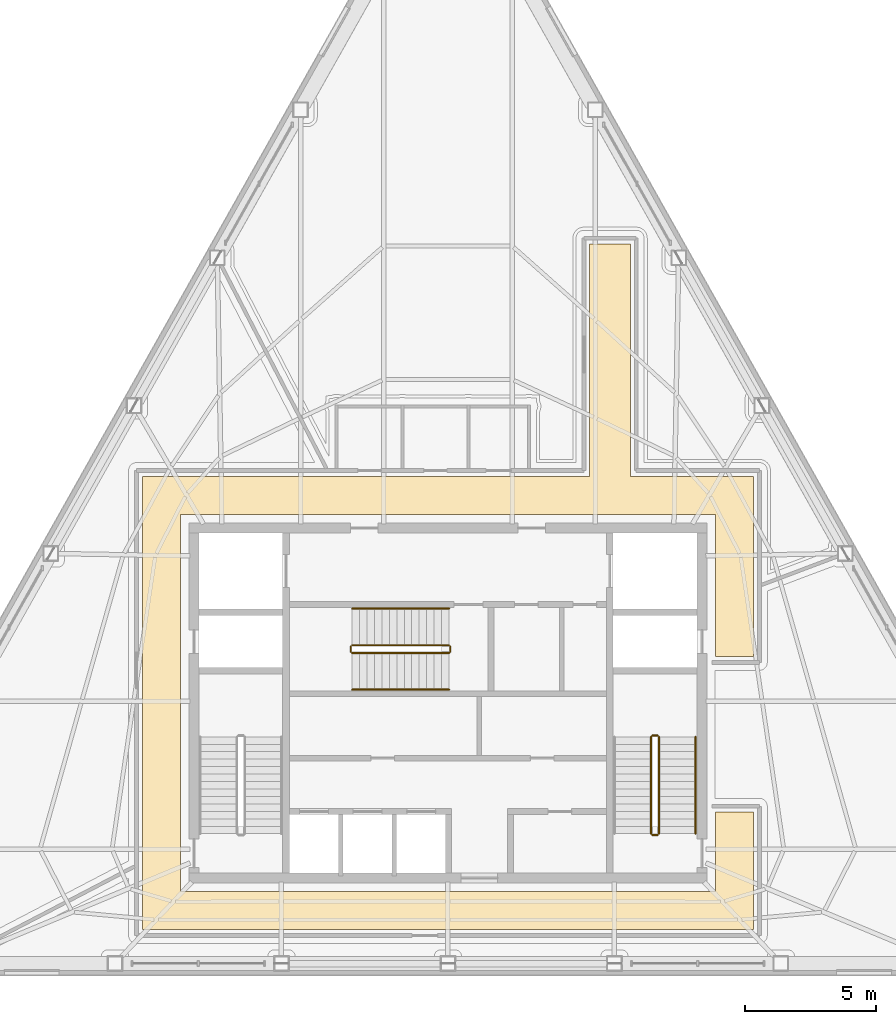
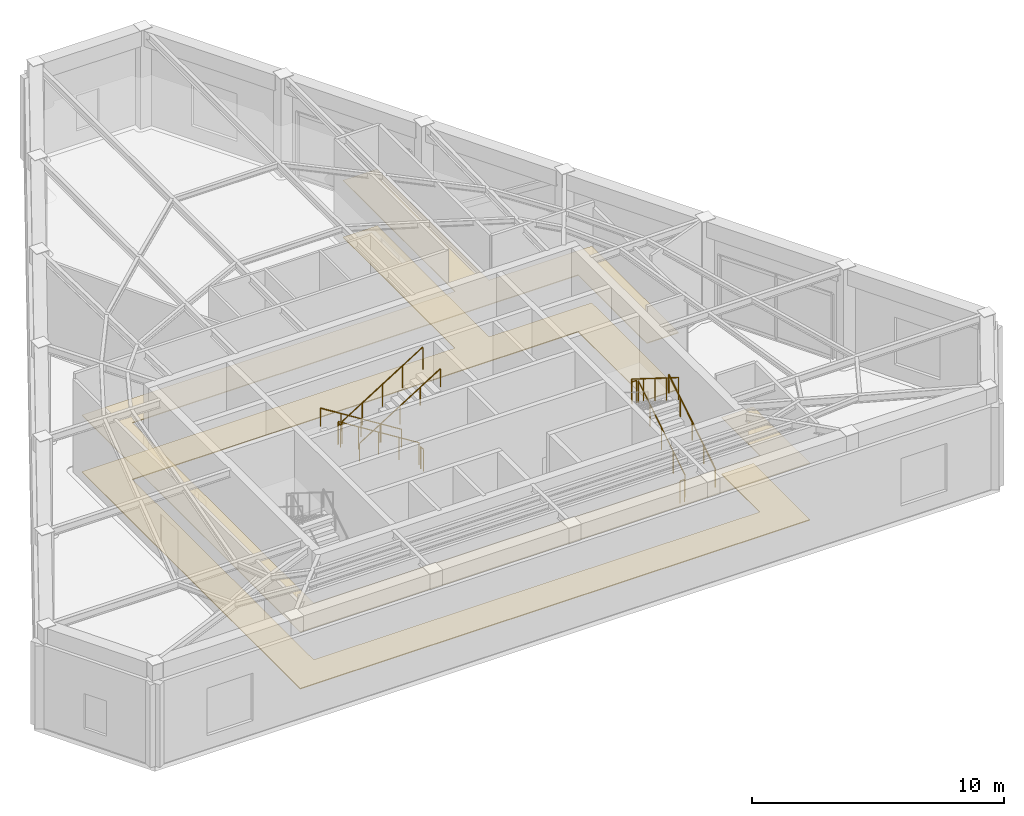
# One storey, part 14 of 15: 11 railings, 2 coverings.
"""IFC4 building model written with IfcOpenShell, lengths in metres."""

from ifc_helpers import new_model, si_unit, direction, frame, origin, origin_2d, place, context, subcontext, project, spatial, polyline, circle, outline, extrude, material, layer, layer_set, type_object, element, save


model = new_model("IFC4")

# Units and contexts
model_context = context("Model", 3, precision=1e-05, world=origin(), true_north=direction((0.0, 1.0)))
body_context = subcontext(model_context, "Body", "Model", "MODEL_VIEW")
ifc_project = project(units=[si_unit("LENGTHUNIT", "METRE"), si_unit("AREAUNIT", "SQUARE_METRE"), si_unit("VOLUMEUNIT", "CUBIC_METRE"), si_unit("PLANEANGLEUNIT", "RADIAN"), si_unit("MASSUNIT", "GRAM", prefix="KILO")], contexts=[model_context])

# Site, building, storey
site_placement = place(None, origin())
site = spatial("IfcSite", under=ifc_project, at=site_placement, CompositionType="ELEMENT")
building_placement = place(site_placement, origin())
building = spatial("IfcBuilding", under=site, at=building_placement, Name="Kavelnor Concourse Tower", CompositionType="ELEMENT")
storey_placement = place(building_placement, frame((0.0, 0.0, 304.949951171875)))
storey = spatial("IfcBuildingStorey", under=building, at=storey_placement, Name="L77", CompositionType="ELEMENT", Elevation=304.949951171875)

# Coverings
ifc_material_1 = material(Name="Mineral fibre acoustic ceiling tile")
ifc_layer_1 = layer(ifc_material_1, 0.0400390625, Name="Mineral fibre acoustic ceiling tile")
ifc_layer_set_1 = layer_set([ifc_layer_1], Name="Mineral fibre acoustic ceiling tile")
covering_type_1 = type_object("IfcCoveringType", Name="COV-CEILING-ACOUSTIC", PredefinedType="CEILING", material=ifc_layer_set_1)
covering_1_placement = place(storey_placement, frame((0.0, 0.0, 2.75)))
element("IfcCovering", 1, at=covering_1_placement, inside=storey, type_object=covering_type_1, Name="L77 Suspended Acoustic Ceiling", PredefinedType="CEILING", context=body_context, shape_type="SweptSolid", body=[
    extrude(outline(polyline([(44.97998046875, 24.77001953125), (49.68994140625, 24.77001953125), (49.68994140625, 17.8701171875), (48.22998046875, 17.8701171875), (48.22998046875, 23.31005859375), (27.77001953125, 23.31005859375), (27.77001953125, 8.889892578125), (48.22998046875, 8.889892578125), (48.22998046875, 11.929931640625), (49.68994140625, 11.929931640625), (49.68994140625, 7.429931640625), (26.31005859375, 7.429931640625), (26.31005859375, 24.77001953125), (43.419921875, 24.77001953125), (43.419921875, 33.65380859375), (44.97998046875, 33.65380859375), (44.97998046875, 24.77001953125)])), origin(), (0.0, 0.0, 1.0), 0.0400390625),
])
ifc_material_2 = material(Name="Honed bluestone and raised access floor finish", Category="masonry")
ifc_layer_2 = layer(ifc_material_2, 0.0400390625, Name="Honed bluestone and raised access floor finish")
ifc_layer_set_2 = layer_set([ifc_layer_2], Name="Honed bluestone and raised access floor finish")
covering_type_2 = type_object("IfcCoveringType", Name="COV-FLOOR-STONE", PredefinedType="FLOORING", material=ifc_layer_set_2)
covering_2_placement = place(storey_placement, frame((0.0, 0.0, 0.001953125)))
element("IfcCovering", 2, at=covering_2_placement, inside=storey, type_object=covering_type_2, Name="L77 Honed Bluestone Floor Finish", PredefinedType="FLOORING", context=body_context, shape_type="SweptSolid", body=[
    extrude(outline(polyline([(44.97998046875, 24.77001953125), (49.68994140625, 24.77001953125), (49.68994140625, 17.8701171875), (48.22998046875, 17.8701171875), (48.22998046875, 23.31005859375), (27.77001953125, 23.31005859375), (27.77001953125, 8.889892578125), (48.22998046875, 8.889892578125), (48.22998046875, 11.929931640625), (49.68994140625, 11.929931640625), (49.68994140625, 7.429931640625), (26.31005859375, 7.429931640625), (26.31005859375, 24.77001953125), (43.419921875, 24.77001953125), (43.419921875, 33.65380859375), (44.97998046875, 33.65380859375), (44.97998046875, 24.77001953125)])), origin(), (0.0, 0.0, 1.0), 0.0400390625),
])

# Railings
ifc_material_3 = material(Name="Steel Grade 350", Category="steel")
railing_type_1 = type_object("IfcRailingType", Name="RLG-GUARD-1100", PredefinedType="GUARDRAIL", material=ifc_material_3)
railing_1_placement = place(storey_placement, frame((46.070068359375, 11.10009765625, 0.1787109375)))
element("IfcRailing", 3, at=railing_1_placement, inside=storey, type_object=railing_type_1, Name="L77 ST2 stair guard 1", PredefinedType="GUARDRAIL", context=body_context, shape_type="SweptSolid", body=[
    extrude(circle(Radius=0.02392578125, at=origin_2d()), frame((0.0, 0.0, 1.076171875), z_axis=(0.0, 0.847404842492, 0.530947297688), x_axis=(-1.0, 0.0, 0.0)), (0.0, 0.0, 1.0), 4.3720703125),
    extrude(circle(Radius=0.02099609375, at=origin_2d()), origin(), (0.0, 0.0, 1.0), 1.052001953125),
    extrude(circle(Radius=0.02099609375, at=origin_2d()), frame((0.0, 0.92626953125, 0.580322265625)), (0.0, 0.0, 1.0), 1.052001953125),
    extrude(circle(Radius=0.02099609375, at=origin_2d()), frame((0.0, 1.8525390625, 1.16064453125)), (0.0, 0.0, 1.0), 1.052001953125),
    extrude(circle(Radius=0.02099609375, at=origin_2d()), frame((0.0, 2.778564453125, 1.740966796875)), (0.0, 0.0, 1.0), 1.052001953125),
    extrude(circle(Radius=0.02099609375, at=origin_2d()), frame((0.0, 3.704833984375, 2.3212890625)), (0.0, 0.0, 1.0), 1.052001953125),
])
railing_2_placement = place(storey_placement, frame((46.02001953125, 14.85498046875, 2.5)))
element("IfcRailing", 4, at=railing_2_placement, inside=storey, type_object=railing_type_1, Name="L77 ST2 stair guard 2", PredefinedType="GUARDRAIL", context=body_context, shape_type="SweptSolid", body=[
    extrude(circle(Radius=0.02392578125, at=origin_2d()), frame((0.0, 0.0, 1.076171875), z_axis=(-1.0, 0.0, 0.0), x_axis=(0.0, -1.0, 0.0)), (0.0, 0.0, 1.0), 0.199951171875),
    extrude(circle(Radius=0.02099609375, at=origin_2d()), origin(), (0.0, 0.0, 1.0), 1.052001953125),
    extrude(circle(Radius=0.02099609375, at=origin_2d()), frame((-0.199951171875, 0.0, 0.0)), (0.0, 0.0, 1.0), 1.052001953125),
])
railing_3_placement = place(storey_placement, frame((45.77001953125, 14.804931640625, 2.6787109375)))
element("IfcRailing", 5, at=railing_3_placement, inside=storey, type_object=railing_type_1, Name="L77 ST2 stair guard 3", PredefinedType="GUARDRAIL", context=body_context, shape_type="SweptSolid", body=[
    extrude(circle(Radius=0.02392578125, at=origin_2d()), frame((0.0, 0.0, 1.076171875), z_axis=(0.0, -0.847404842492, 0.530947297688), x_axis=(1.0, 0.0, 0.0)), (0.0, 0.0, 1.0), 4.3720703125),
    extrude(circle(Radius=0.02099609375, at=origin_2d()), origin(), (0.0, 0.0, 1.0), 1.052001953125),
    extrude(circle(Radius=0.02099609375, at=origin_2d()), frame((0.0, -0.92626953125, 0.580322265625)), (0.0, 0.0, 1.0), 1.052001953125),
    extrude(circle(Radius=0.02099609375, at=origin_2d()), frame((0.0, -1.8525390625, 1.16064453125)), (0.0, 0.0, 1.0), 1.052001953125),
    extrude(circle(Radius=0.02099609375, at=origin_2d()), frame((0.0, -2.778564453125, 1.740966796875)), (0.0, 0.0, 1.0), 1.052001953125),
    extrude(circle(Radius=0.02099609375, at=origin_2d()), frame((0.0, -3.704833984375, 2.3212890625)), (0.0, 0.0, 1.0), 1.052001953125),
])
railing_4_placement = place(storey_placement, frame((46.02001953125, 11.050048828125, 0.0)))
element("IfcRailing", 6, at=railing_4_placement, inside=storey, type_object=railing_type_1, Name="L77 ST2 stair guard 4", PredefinedType="GUARDRAIL", context=body_context, shape_type="SweptSolid", body=[
    extrude(circle(Radius=0.02392578125, at=origin_2d()), frame((0.0, 0.0, 1.076171875), z_axis=(-1.0, 0.0, 0.0), x_axis=(0.0, -1.0, 0.0)), (0.0, 0.0, 1.0), 0.199951171875),
    extrude(circle(Radius=0.02099609375, at=origin_2d()), origin(), (0.0, 0.0, 1.0), 1.052001953125),
    extrude(circle(Radius=0.02099609375, at=origin_2d()), frame((-0.199951171875, 0.0, 0.0)), (0.0, 0.0, 1.0), 1.052001953125),
])
railing_5_placement = place(storey_placement, frame((38.0400390625, 18.31005859375, 0.1787109375)))
element("IfcRailing", 7, at=railing_5_placement, inside=storey, type_object=railing_type_1, Name="L77 ST3 stair guard 1", PredefinedType="GUARDRAIL", context=body_context, shape_type="SweptSolid", body=[
    extrude(circle(Radius=0.02392578125, at=origin_2d()), frame((0.0, 0.0, 1.076171875), z_axis=(-0.847420583561, 0.0, 0.530922173728), x_axis=(0.0, -1.0, 0.0)), (0.0, 0.0, 1.0), 4.3720703125),
    extrude(circle(Radius=0.02099609375, at=origin_2d()), origin(), (0.0, 0.0, 1.0), 1.052001953125),
    extrude(circle(Radius=0.02099609375, at=origin_2d()), frame((-0.92626953125, 0.0, 0.580322265625)), (0.0, 0.0, 1.0), 1.052001953125),
    extrude(circle(Radius=0.02099609375, at=origin_2d()), frame((-1.8525390625, 0.0, 1.16064453125)), (0.0, 0.0, 1.0), 1.052001953125),
    extrude(circle(Radius=0.02099609375, at=origin_2d()), frame((-2.77880859375, 0.0, 1.740966796875)), (0.0, 0.0, 1.0), 1.052001953125),
    extrude(circle(Radius=0.02099609375, at=origin_2d()), frame((-3.705078125, 0.0, 2.3212890625)), (0.0, 0.0, 1.0), 1.052001953125),
])
railing_6_placement = place(storey_placement, frame((34.284912109375, 18.260009765625, 2.5)))
element("IfcRailing", 8, at=railing_6_placement, inside=storey, type_object=railing_type_1, Name="L77 ST3 stair guard 2", PredefinedType="GUARDRAIL", context=body_context, shape_type="SweptSolid", body=[
    extrude(circle(Radius=0.02392578125, at=origin_2d()), frame((0.0, 0.0, 1.076171875), z_axis=(0.0, -1.0, 0.0), x_axis=(1.0, 0.0, 0.0)), (0.0, 0.0, 1.0), 0.199951171875),
    extrude(circle(Radius=0.02099609375, at=origin_2d()), origin(), (0.0, 0.0, 1.0), 1.052001953125),
    extrude(circle(Radius=0.02099609375, at=origin_2d()), frame((0.0, -0.199951171875, 0.0)), (0.0, 0.0, 1.0), 1.052001953125),
])
railing_7_placement = place(storey_placement, frame((34.3349609375, 18.010009765625, 2.6787109375)))
element("IfcRailing", 9, at=railing_7_placement, inside=storey, type_object=railing_type_1, Name="L77 ST3 stair guard 3", PredefinedType="GUARDRAIL", context=body_context, shape_type="SweptSolid", body=[
    extrude(circle(Radius=0.02392578125, at=origin_2d()), frame((0.0, 0.0, 1.076171875), z_axis=(0.847420583561, 0.0, 0.530922173728), x_axis=(0.0, 1.0, 0.0)), (0.0, 0.0, 1.0), 4.3720703125),
    extrude(circle(Radius=0.02099609375, at=origin_2d()), origin(), (0.0, 0.0, 1.0), 1.052001953125),
    extrude(circle(Radius=0.02099609375, at=origin_2d()), frame((0.92626953125, 0.0, 0.580322265625)), (0.0, 0.0, 1.0), 1.052001953125),
    extrude(circle(Radius=0.02099609375, at=origin_2d()), frame((1.8525390625, 0.0, 1.16064453125)), (0.0, 0.0, 1.0), 1.052001953125),
    extrude(circle(Radius=0.02099609375, at=origin_2d()), frame((2.77880859375, 0.0, 1.740966796875)), (0.0, 0.0, 1.0), 1.052001953125),
    extrude(circle(Radius=0.02099609375, at=origin_2d()), frame((3.705078125, 0.0, 2.3212890625)), (0.0, 0.0, 1.0), 1.052001953125),
])
railing_8_placement = place(storey_placement, frame((38.090087890625, 18.260009765625, 0.0)))
element("IfcRailing", 10, at=railing_8_placement, inside=storey, type_object=railing_type_1, Name="L77 ST3 stair guard 4", PredefinedType="GUARDRAIL", context=body_context, shape_type="SweptSolid", body=[
    extrude(circle(Radius=0.02392578125, at=origin_2d()), frame((0.0, 0.0, 1.076171875), z_axis=(0.0, -1.0, 0.0), x_axis=(1.0, 0.0, 0.0)), (0.0, 0.0, 1.0), 0.199951171875),
    extrude(circle(Radius=0.02099609375, at=origin_2d()), origin(), (0.0, 0.0, 1.0), 1.052001953125),
    extrude(circle(Radius=0.02099609375, at=origin_2d()), frame((0.0, -0.199951171875, 0.0)), (0.0, 0.0, 1.0), 1.052001953125),
])
railing_type_2 = type_object("IfcRailingType", Name="RLG-HANDRAIL-900", PredefinedType="HANDRAIL", material=ifc_material_3)
railing_9_placement = place(storey_placement, frame((47.469970703125, 11.10009765625, 0.1787109375)))
element("IfcRailing", 11, at=railing_9_placement, inside=storey, type_object=railing_type_2, Name="L77 ST2 stair handrail 1", PredefinedType="HANDRAIL", context=body_context, shape_type="SweptSolid", body=[
    extrude(circle(Radius=0.02392578125, at=origin_2d()), frame((0.0, 0.0, 0.8759765625), z_axis=(0.0, 0.847404842492, 0.530947297688), x_axis=(-1.0, 0.0, 0.0)), (0.0, 0.0, 1.0), 4.3720703125),
    extrude(circle(Radius=0.02099609375, at=origin_2d()), origin(), (0.0, 0.0, 1.0), 0.851806640625),
    extrude(circle(Radius=0.02099609375, at=origin_2d()), frame((0.0, 0.92626953125, 0.580322265625)), (0.0, 0.0, 1.0), 0.851806640625),
    extrude(circle(Radius=0.02099609375, at=origin_2d()), frame((0.0, 1.8525390625, 1.16064453125)), (0.0, 0.0, 1.0), 0.851806640625),
    extrude(circle(Radius=0.02099609375, at=origin_2d()), frame((0.0, 2.778564453125, 1.740966796875)), (0.0, 0.0, 1.0), 0.851806640625),
    extrude(circle(Radius=0.02099609375, at=origin_2d()), frame((0.0, 3.704833984375, 2.3212890625)), (0.0, 0.0, 1.0), 0.851806640625),
])
railing_10_placement = place(storey_placement, frame((38.0400390625, 19.7099609375, 0.1787109375)))
element("IfcRailing", 12, at=railing_10_placement, inside=storey, type_object=railing_type_2, Name="L77 ST3 stair handrail 1", PredefinedType="HANDRAIL", context=body_context, shape_type="SweptSolid", body=[
    extrude(circle(Radius=0.02392578125, at=origin_2d()), frame((0.0, 0.0, 0.8759765625), z_axis=(-0.847420583561, 0.0, 0.530922173728), x_axis=(0.0, -1.0, 0.0)), (0.0, 0.0, 1.0), 4.3720703125),
    extrude(circle(Radius=0.02099609375, at=origin_2d()), origin(), (0.0, 0.0, 1.0), 0.851806640625),
    extrude(circle(Radius=0.02099609375, at=origin_2d()), frame((-0.92626953125, 0.0, 0.580322265625)), (0.0, 0.0, 1.0), 0.851806640625),
    extrude(circle(Radius=0.02099609375, at=origin_2d()), frame((-1.8525390625, 0.0, 1.16064453125)), (0.0, 0.0, 1.0), 0.851806640625),
    extrude(circle(Radius=0.02099609375, at=origin_2d()), frame((-2.77880859375, 0.0, 1.740966796875)), (0.0, 0.0, 1.0), 0.851806640625),
    extrude(circle(Radius=0.02099609375, at=origin_2d()), frame((-3.705078125, 0.0, 2.3212890625)), (0.0, 0.0, 1.0), 0.851806640625),
])
railing_11_placement = place(storey_placement, frame((34.3349609375, 16.610107421875, 2.6787109375)))
element("IfcRailing", 13, at=railing_11_placement, inside=storey, type_object=railing_type_2, Name="L77 ST3 stair handrail 2", PredefinedType="HANDRAIL", context=body_context, shape_type="SweptSolid", body=[
    extrude(circle(Radius=0.02392578125, at=origin_2d()), frame((0.0, 0.0, 0.8759765625), z_axis=(0.847420583561, 0.0, 0.530922173728), x_axis=(0.0, 1.0, 0.0)), (0.0, 0.0, 1.0), 4.3720703125),
    extrude(circle(Radius=0.02099609375, at=origin_2d()), origin(), (0.0, 0.0, 1.0), 0.851806640625),
    extrude(circle(Radius=0.02099609375, at=origin_2d()), frame((0.92626953125, 0.0, 0.580322265625)), (0.0, 0.0, 1.0), 0.851806640625),
    extrude(circle(Radius=0.02099609375, at=origin_2d()), frame((1.8525390625, 0.0, 1.16064453125)), (0.0, 0.0, 1.0), 0.851806640625),
    extrude(circle(Radius=0.02099609375, at=origin_2d()), frame((2.77880859375, 0.0, 1.740966796875)), (0.0, 0.0, 1.0), 0.851806640625),
    extrude(circle(Radius=0.02099609375, at=origin_2d()), frame((3.705078125, 0.0, 2.3212890625)), (0.0, 0.0, 1.0), 0.851806640625),
])

save(model, "model.ifc")
